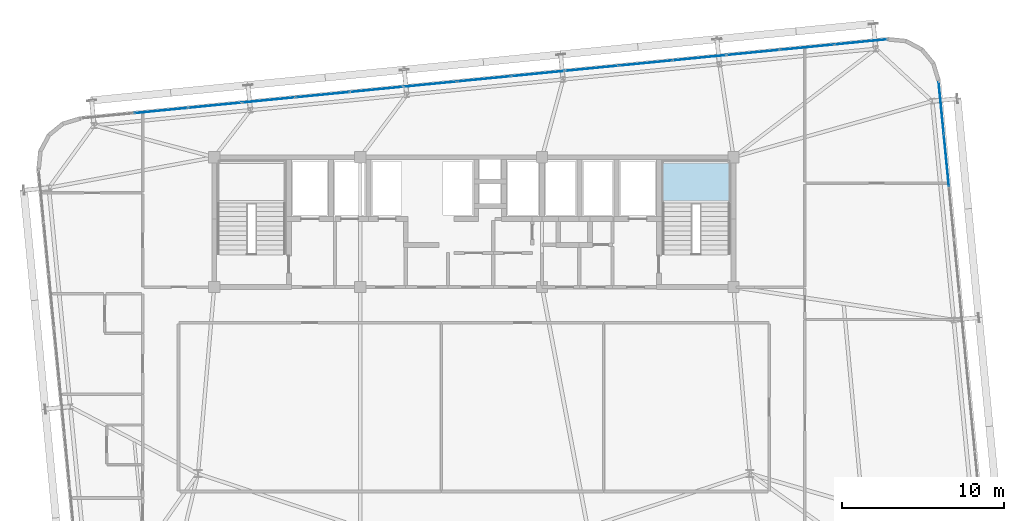
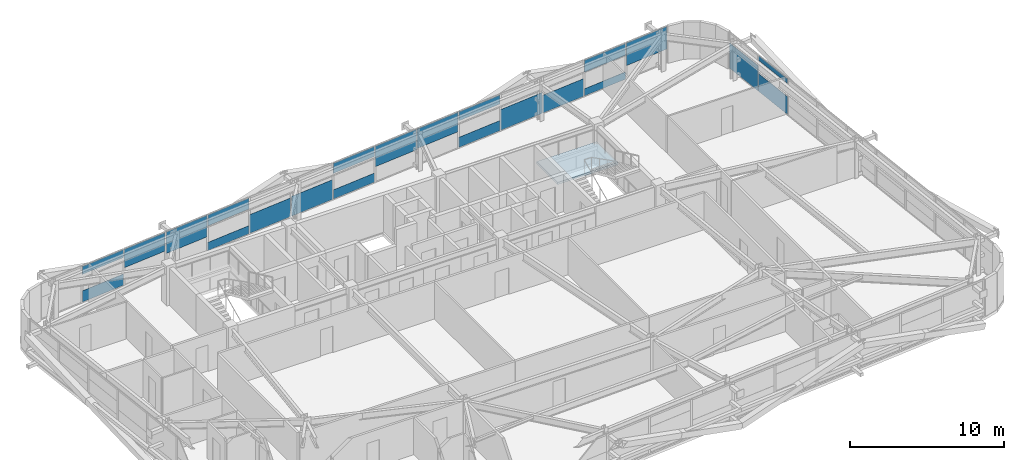
# One storey, part 37 of 53: 22 plates, 1 slab, 3 elements without a shape of their own.
"""IFC4 building model written with IfcOpenShell, lengths in metres."""

from ifc_helpers import new_model, si_unit, direction, frame, origin, origin_2d, place, context, subcontext, project, spatial, polyline, rectangle, outline, extrude, source, transform, mapped, material, layer, layer_set, type_object, element, aggregate, save


model = new_model("IFC4")

# Units and contexts
model_context = context("Model", 3, precision=1e-05, world=origin(), true_north=direction((0.0, 1.0)))
body_context = subcontext(model_context, "Body", "Model", "MODEL_VIEW")
ifc_project = project(units=[si_unit("LENGTHUNIT", "METRE"), si_unit("AREAUNIT", "SQUARE_METRE"), si_unit("VOLUMEUNIT", "CUBIC_METRE"), si_unit("PLANEANGLEUNIT", "RADIAN"), si_unit("MASSUNIT", "GRAM", prefix="KILO")], contexts=[model_context])

# Site, building, storey
site_placement = place(None, origin())
site = spatial("IfcSite", under=ifc_project, at=site_placement, CompositionType="ELEMENT")
building_placement = place(site_placement, origin())
building = spatial("IfcBuilding", under=site, at=building_placement, Name="Taldren Reach Tower", CompositionType="ELEMENT")
storey_placement = place(building_placement, frame((0.0, 0.0, 84.0)))
storey = spatial("IfcBuildingStorey", under=building, at=storey_placement, Name="L25", CompositionType="ELEMENT", Elevation=84.0)

# Stair, slab
ifc_material_1 = material(Name="Concrete S50 (50 MPa)", Category="concrete")
stair_type = type_object("IfcStairType", Name="ST-HT-315", PredefinedType="HALF_TURN_STAIR", material=ifc_material_1)
stair_placement = place(storey_placement, origin())
stair = element("IfcStair", 1, at=stair_placement, inside=storey, type_object=stair_type, Name="Fire-isolated exit stair ST2 L25", PredefinedType="HALF_TURN_STAIR")
ifc_layer_1 = layer(ifc_material_1, 0.179931640625)
ifc_layer_set_1 = layer_set([ifc_layer_1], Name="Concrete S50 (50 MPa)")
slab_type = type_object("IfcSlabType", Name="SL-LAND-180", PredefinedType="LANDING", material=ifc_layer_set_1)
slab_placement = place(storey_placement, frame((0.0, 0.0, 1.39501953125)))
slab = element("IfcSlab", 2, at=slab_placement, type_object=slab_type, Name="ST2 landing 1", PredefinedType="LANDING", context=body_context, shape_type="SweptSolid", body=[
    extrude(outline(polyline([(46.43994140625, 29.135009765625), (50.9599609375, 29.135009765625), (50.9599609375, 31.8701171875), (46.43994140625, 31.8701171875), (46.43994140625, 29.135009765625)])), origin(), (0.0, 0.0, 1.0), 0.179931640625),
])
aggregate(stair, [slab])

# Curtain wall, plates
ifc_material_2 = material(Name="Aluminium and Low-E Glass Unitised System", Category="aluminium")
ifc_layer_2 = layer(ifc_material_2, 0.159912109375)
ifc_layer_set_2 = layer_set([ifc_layer_2], Name="Aluminium and Low-E Glass Unitised System")
curtain_wall_type = type_object("IfcCurtainWallType", Name="CW-SYS-3", PredefinedType="NOTDEFINED", material=ifc_layer_set_2)
curtain_wall_1_placement = place(storey_placement, origin())
curtain_wall_1 = element("IfcCurtainWall", 3, at=curtain_wall_1_placement, inside=storey, type_object=curtain_wall_type, Name="Unitised curtain wall CW-L25-N", PredefinedType="NOTDEFINED")
ifc_material_3 = material(Name="Solar-Control Double Glazed IGU", Category="glass")
ifc_layer_3 = layer(ifc_material_3, 0.031982421875)
ifc_layer_set_3 = layer_set([ifc_layer_3], Name="Solar-Control Double Glazed IGU")
plate_type = type_object("IfcPlateType", Name="CW-PNL-IGU32", PredefinedType="CURTAIN_PANEL", material=ifc_layer_set_3)
shared_shape_1 = source(origin(), body_context, "Body", "SweptSolid", [
    extrude(rectangle(XDim=3.268310546875, YDim=0.031982421875, at=origin_2d()), origin(), (0.0, 0.0, 1.0), 0.88818359375),
])
plate_1_placement = place(storey_placement, frame((15.72705078125, 34.874267578125, 0.05517578125), z_axis=(0.0, 0.0, 1.0), x_axis=(-0.995227390247, -0.097582999046, 0.0)))
plate_1 = element("IfcPlate", 4, at=plate_1_placement, type_object=plate_type, Name="CW-3 panel 14.1 part 1", PredefinedType="CURTAIN_PANEL", context=body_context, shape_type="MappedRepresentation", body=[
    mapped(shared_shape_1, transform((0.0, 0.0, 0.0), scale=1.0)),
])
shared_shape_2 = source(origin(), body_context, "Body", "SweptSolid", [
    extrude(rectangle(XDim=3.268310546875, YDim=0.031982421875, at=origin_2d()), origin(), (0.0, 0.0, 1.0), 0.626953125),
])
plate_2_placement = place(storey_placement, frame((15.72705078125, 34.874267578125, 2.248046875), z_axis=(0.0, 0.0, 1.0), x_axis=(-0.995227390247, -0.097582999046, 0.0)))
plate_2 = element("IfcPlate", 5, at=plate_2_placement, type_object=plate_type, Name="CW-3 panel 14.1 part 2", PredefinedType="CURTAIN_PANEL", context=body_context, shape_type="MappedRepresentation", body=[
    mapped(shared_shape_2, transform((0.0, 0.0, 0.0), scale=1.0)),
])
shared_shape_3 = source(origin(), body_context, "Body", "SweptSolid", [
    extrude(rectangle(XDim=3.268310546875, YDim=0.031982421875, at=origin_2d()), origin(), (0.0, 0.0, 1.0), 1.4638671875),
])
plate_3_placement = place(storey_placement, frame((19.04443359375, 35.199462890625, 1.4111328125), z_axis=(0.0, 0.0, 1.0), x_axis=(-0.995227390247, -0.097582999046, 0.0)))
plate_3 = element("IfcPlate", 6, at=plate_3_placement, type_object=plate_type, Name="CW-3 panel 13.1 part 1", PredefinedType="CURTAIN_PANEL", context=body_context, shape_type="MappedRepresentation", body=[
    mapped(shared_shape_3, transform((0.0, 0.0, 0.0), scale=1.0)),
])
shared_shape_4 = source(origin(), body_context, "Body", "SweptSolid", [
    extrude(rectangle(XDim=3.268310546875, YDim=0.031982421875, at=origin_2d()), origin(), (0.0, 0.0, 1.0), 1.704833984375),
])
plate_4_placement = place(storey_placement, frame((22.36181640625, 35.52490234375, 1.17041015625), z_axis=(0.0, 0.0, 1.0), x_axis=(-0.995227390247, -0.097582999046, 0.0)))
plate_4 = element("IfcPlate", 7, at=plate_4_placement, type_object=plate_type, Name="CW-3 panel 12.1 part 1", PredefinedType="CURTAIN_PANEL", context=body_context, shape_type="MappedRepresentation", body=[
    mapped(shared_shape_4, transform((0.0, 0.0, 0.0), scale=1.0)),
])
shared_shape_5 = source(origin(), body_context, "Body", "SweptSolid", [
    extrude(rectangle(XDim=3.268310546875, YDim=0.031982421875, at=origin_2d()), origin(), (0.0, 0.0, 1.0), 0.647216796875),
])
plate_5_placement = place(storey_placement, frame((25.67919921875, 35.85009765625, 0.05517578125), z_axis=(0.0, 0.0, 1.0), x_axis=(-0.995227390247, -0.097582999046, 0.0)))
plate_5 = element("IfcPlate", 8, at=plate_5_placement, type_object=plate_type, Name="CW-3 panel 11.1 part 1", PredefinedType="CURTAIN_PANEL", context=body_context, shape_type="MappedRepresentation", body=[
    mapped(shared_shape_5, transform((0.0, 0.0, 0.0), scale=1.0)),
])
shared_shape_6 = source(origin(), body_context, "Body", "SweptSolid", [
    extrude(rectangle(XDim=3.268310546875, YDim=0.031982421875, at=origin_2d()), origin(), (0.0, 0.0, 1.0), 0.867919921875),
])
plate_6_placement = place(storey_placement, frame((25.67919921875, 35.85009765625, 2.0068359375), z_axis=(0.0, 0.0, 1.0), x_axis=(-0.995227390247, -0.097582999046, 0.0)))
plate_6 = element("IfcPlate", 9, at=plate_6_placement, type_object=plate_type, Name="CW-3 panel 11.1 part 2", PredefinedType="CURTAIN_PANEL", context=body_context, shape_type="MappedRepresentation", body=[
    mapped(shared_shape_6, transform((0.0, 0.0, 0.0), scale=1.0)),
])
shared_shape_7 = source(origin(), body_context, "Body", "SweptSolid", [
    extrude(rectangle(XDim=3.268310546875, YDim=0.031982421875, at=origin_2d()), origin(), (0.0, 0.0, 1.0), 1.484130859375),
])
plate_7_placement = place(storey_placement, frame((28.996826171875, 36.17529296875, 0.05517578125), z_axis=(0.0, 0.0, 1.0), x_axis=(-0.995227390247, -0.097582999046, 0.0)))
plate_7 = element("IfcPlate", 10, at=plate_7_placement, type_object=plate_type, Name="CW-3 panel 10.1 part 1", PredefinedType="CURTAIN_PANEL", context=body_context, shape_type="MappedRepresentation", body=[
    mapped(shared_shape_7, transform((0.0, 0.0, 0.0), scale=1.0)),
])
shared_shape_8 = source(origin(), body_context, "Body", "SweptSolid", [
    extrude(rectangle(XDim=3.268310546875, YDim=0.031982421875, at=origin_2d()), origin(), (0.0, 0.0, 1.0), 1.564453125),
])
plate_8_placement = place(storey_placement, frame((32.314208984375, 36.500732421875, 0.054931640625), z_axis=(0.0, 0.0, 1.0), x_axis=(-0.995227390247, -0.097582999046, 0.0)))
plate_8 = element("IfcPlate", 11, at=plate_8_placement, type_object=plate_type, Name="CW-3 panel 9.1 part 1", PredefinedType="CURTAIN_PANEL", context=body_context, shape_type="MappedRepresentation", body=[
    mapped(shared_shape_8, transform((0.0, 0.0, 0.0), scale=1.0)),
])
shared_shape_9 = source(origin(), body_context, "Body", "SweptSolid", [
    extrude(rectangle(XDim=3.268310546875, YDim=0.031982421875, at=origin_2d()), origin(), (0.0, 0.0, 1.0), 0.7275390625),
])
plate_9_placement = place(storey_placement, frame((35.631591796875, 36.825927734375, 0.054931640625), z_axis=(0.0, 0.0, 1.0), x_axis=(-0.995227390247, -0.097582999046, 0.0)))
plate_9 = element("IfcPlate", 12, at=plate_9_placement, type_object=plate_type, Name="CW-3 panel 8.1 part 1", PredefinedType="CURTAIN_PANEL", context=body_context, shape_type="MappedRepresentation", body=[
    mapped(shared_shape_9, transform((0.0, 0.0, 0.0), scale=1.0)),
])
shared_shape_10 = source(origin(), body_context, "Body", "SweptSolid", [
    extrude(rectangle(XDim=3.268310546875, YDim=0.031982421875, at=origin_2d()), origin(), (0.0, 0.0, 1.0), 0.78759765625),
])
plate_10_placement = place(storey_placement, frame((35.631591796875, 36.825927734375, 2.08740234375), z_axis=(0.0, 0.0, 1.0), x_axis=(-0.995227390247, -0.097582999046, 0.0)))
plate_10 = element("IfcPlate", 13, at=plate_10_placement, type_object=plate_type, Name="CW-3 panel 8.1 part 2", PredefinedType="CURTAIN_PANEL", context=body_context, shape_type="MappedRepresentation", body=[
    mapped(shared_shape_10, transform((0.0, 0.0, 0.0), scale=1.0)),
])
shared_shape_11 = source(origin(), body_context, "Body", "SweptSolid", [
    extrude(rectangle(XDim=3.268310546875, YDim=0.031982421875, at=origin_2d()), origin(), (0.0, 0.0, 1.0), 1.62451171875),
])
plate_11_placement = place(storey_placement, frame((38.948974609375, 37.151123046875, 1.25048828125), z_axis=(0.0, 0.0, 1.0), x_axis=(-0.995227390247, -0.097582999046, 0.0)))
plate_11 = element("IfcPlate", 14, at=plate_11_placement, type_object=plate_type, Name="CW-3 panel 7.1 part 1", PredefinedType="CURTAIN_PANEL", context=body_context, shape_type="MappedRepresentation", body=[
    mapped(shared_shape_11, transform((0.0, 0.0, 0.0), scale=1.0)),
])
shared_shape_12 = source(origin(), body_context, "Body", "SweptSolid", [
    extrude(rectangle(XDim=3.268310546875, YDim=0.031982421875, at=origin_2d()), origin(), (0.0, 0.0, 1.0), 1.544189453125),
])
plate_12_placement = place(storey_placement, frame((42.266357421875, 37.4765625, 1.3310546875), z_axis=(0.0, 0.0, 1.0), x_axis=(-0.995227390247, -0.097582999046, 0.0)))
plate_12 = element("IfcPlate", 15, at=plate_12_placement, type_object=plate_type, Name="CW-3 panel 6.1 part 1", PredefinedType="CURTAIN_PANEL", context=body_context, shape_type="MappedRepresentation", body=[
    mapped(shared_shape_12, transform((0.0, 0.0, 0.0), scale=1.0)),
])
shared_shape_13 = source(origin(), body_context, "Body", "SweptSolid", [
    extrude(rectangle(XDim=3.268310546875, YDim=0.031982421875, at=origin_2d()), origin(), (0.0, 0.0, 1.0), 0.807861328125),
])
plate_13_placement = place(storey_placement, frame((45.583740234375, 37.8017578125, 0.05517578125), z_axis=(0.0, 0.0, 1.0), x_axis=(-0.995227390247, -0.097582999046, 0.0)))
plate_13 = element("IfcPlate", 16, at=plate_13_placement, type_object=plate_type, Name="CW-3 panel 5.1 part 1", PredefinedType="CURTAIN_PANEL", context=body_context, shape_type="MappedRepresentation", body=[
    mapped(shared_shape_13, transform((0.0, 0.0, 0.0), scale=1.0)),
])
shared_shape_14 = source(origin(), body_context, "Body", "SweptSolid", [
    extrude(rectangle(XDim=3.268310546875, YDim=0.031982421875, at=origin_2d()), origin(), (0.0, 0.0, 1.0), 0.707275390625),
])
plate_14_placement = place(storey_placement, frame((45.583740234375, 37.8017578125, 2.16748046875), z_axis=(0.0, 0.0, 1.0), x_axis=(-0.995227390247, -0.097582999046, 0.0)))
plate_14 = element("IfcPlate", 17, at=plate_14_placement, type_object=plate_type, Name="CW-3 panel 5.1 part 2", PredefinedType="CURTAIN_PANEL", context=body_context, shape_type="MappedRepresentation", body=[
    mapped(shared_shape_14, transform((0.0, 0.0, 0.0), scale=1.0)),
])
shared_shape_15 = source(origin(), body_context, "Body", "SweptSolid", [
    extrude(rectangle(XDim=3.268310546875, YDim=0.031982421875, at=origin_2d()), origin(), (0.0, 0.0, 1.0), 1.644775390625),
])
plate_15_placement = place(storey_placement, frame((48.9013671875, 38.126953125, 0.05517578125), z_axis=(0.0, 0.0, 1.0), x_axis=(-0.995227390247, -0.097582999046, 0.0)))
plate_15 = element("IfcPlate", 18, at=plate_15_placement, type_object=plate_type, Name="CW-3 panel 4.1 part 1", PredefinedType="CURTAIN_PANEL", context=body_context, shape_type="MappedRepresentation", body=[
    mapped(shared_shape_15, transform((0.0, 0.0, 0.0), scale=1.0)),
])
shared_shape_16 = source(origin(), body_context, "Body", "SweptSolid", [
    extrude(rectangle(XDim=3.268310546875, YDim=0.031982421875, at=origin_2d()), origin(), (0.0, 0.0, 1.0), 1.40380859375),
])
plate_16_placement = place(storey_placement, frame((52.21875, 38.452392578125, 0.054931640625), z_axis=(0.0, 0.0, 1.0), x_axis=(-0.995227390247, -0.097582999046, 0.0)))
plate_16 = element("IfcPlate", 19, at=plate_16_placement, type_object=plate_type, Name="CW-3 panel 3.1 part 1", PredefinedType="CURTAIN_PANEL", context=body_context, shape_type="MappedRepresentation", body=[
    mapped(shared_shape_16, transform((0.0, 0.0, 0.0), scale=1.0)),
])
shared_shape_17 = source(origin(), body_context, "Body", "SweptSolid", [
    extrude(rectangle(XDim=3.268310546875, YDim=0.031982421875, at=origin_2d()), origin(), (0.0, 0.0, 1.0), 0.56689453125),
])
plate_17_placement = place(storey_placement, frame((55.5361328125, 38.777587890625, 0.054931640625), z_axis=(0.0, 0.0, 1.0), x_axis=(-0.995227390247, -0.097582999046, 0.0)))
plate_17 = element("IfcPlate", 20, at=plate_17_placement, type_object=plate_type, Name="CW-3 panel 2.1 part 1", PredefinedType="CURTAIN_PANEL", context=body_context, shape_type="MappedRepresentation", body=[
    mapped(shared_shape_17, transform((0.0, 0.0, 0.0), scale=1.0)),
])
shared_shape_18 = source(origin(), body_context, "Body", "SweptSolid", [
    extrude(rectangle(XDim=3.268310546875, YDim=0.031982421875, at=origin_2d()), origin(), (0.0, 0.0, 1.0), 0.9482421875),
])
plate_18_placement = place(storey_placement, frame((55.5361328125, 38.777587890625, 1.9267578125), z_axis=(0.0, 0.0, 1.0), x_axis=(-0.995227390247, -0.097582999046, 0.0)))
plate_18 = element("IfcPlate", 21, at=plate_18_placement, type_object=plate_type, Name="CW-3 panel 2.1 part 2", PredefinedType="CURTAIN_PANEL", context=body_context, shape_type="MappedRepresentation", body=[
    mapped(shared_shape_18, transform((0.0, 0.0, 0.0), scale=1.0)),
])
shared_shape_19 = source(origin(), body_context, "Body", "SweptSolid", [
    extrude(rectangle(XDim=3.23583984375, YDim=0.031982421875, at=origin_2d()), origin(), (0.0, 0.0, 1.0), 1.78515625),
])
plate_19_placement = place(storey_placement, frame((58.83740234375, 39.101318359375, 1.08984375), z_axis=(0.0, 0.0, 1.0), x_axis=(-0.995227390247, -0.097582999046, 0.0)))
plate_19 = element("IfcPlate", 22, at=plate_19_placement, type_object=plate_type, Name="CW-3 panel 1.1 part 1", PredefinedType="CURTAIN_PANEL", context=body_context, shape_type="MappedRepresentation", body=[
    mapped(shared_shape_19, transform((0.0, 0.0, 0.0), scale=1.0)),
])
aggregate(curtain_wall_1, [plate_19, plate_17, plate_18, plate_16, plate_15, plate_13, plate_14, plate_12, plate_11, plate_9, plate_10, plate_8, plate_7, plate_5, plate_6, plate_4, plate_3, plate_1, plate_2])

curtain_wall_2_placement = place(storey_placement, origin())
curtain_wall_2 = element("IfcCurtainWall", 23, at=curtain_wall_2_placement, inside=storey, type_object=curtain_wall_type, Name="Unitised curtain wall CW-L25-E", PredefinedType="NOTDEFINED")
shared_shape_20 = source(origin(), body_context, "Body", "SweptSolid", [
    extrude(rectangle(XDim=3.18017578125, YDim=0.031982421875, at=origin_2d()), origin(), (0.0, 0.0, 1.0), 1.989501953125),
])
plate_20_placement = place(storey_placement, frame((63.79931640625, 35.051025390625, 0.05517578125), z_axis=(0.0, 0.0, 1.0), x_axis=(-0.09758274098, 0.99522741555, 0.0)))
plate_20 = element("IfcPlate", 24, at=plate_20_placement, type_object=plate_type, Name="CW-3 panel 9.1 part 1", PredefinedType="CURTAIN_PANEL", context=body_context, shape_type="MappedRepresentation", body=[
    mapped(shared_shape_20, transform((0.0, 0.0, 0.0), scale=1.0)),
])
shared_shape_21 = source(origin(), body_context, "Body", "SweptSolid", [
    extrude(rectangle(XDim=3.212890625, YDim=0.031982421875, at=origin_2d()), origin(), (0.0, 0.0, 1.0), 1.401611328125),
])
plate_21_placement = place(storey_placement, frame((64.117431640625, 31.80517578125, 0.05517578125), z_axis=(0.0, 0.0, 1.0), x_axis=(-0.09758274098, 0.99522741555, 0.0)))
plate_21 = element("IfcPlate", 25, at=plate_21_placement, type_object=plate_type, Name="CW-3 panel 8.1 part 1", PredefinedType="CURTAIN_PANEL", context=body_context, shape_type="MappedRepresentation", body=[
    mapped(shared_shape_21, transform((0.0, 0.0, 0.0), scale=1.0)),
])
shared_shape_22 = source(origin(), body_context, "Body", "SweptSolid", [
    extrude(rectangle(XDim=3.212890625, YDim=0.031982421875, at=origin_2d()), origin(), (0.0, 0.0, 1.0), 0.36474609375),
])
plate_22_placement = place(storey_placement, frame((64.117431640625, 31.80517578125, 2.51025390625), z_axis=(0.0, 0.0, 1.0), x_axis=(-0.09758274098, 0.99522741555, 0.0)))
plate_22 = element("IfcPlate", 26, at=plate_22_placement, type_object=plate_type, Name="CW-3 panel 8.1 part 2", PredefinedType="CURTAIN_PANEL", context=body_context, shape_type="MappedRepresentation", body=[
    mapped(shared_shape_22, transform((0.0, 0.0, 0.0), scale=1.0)),
])
aggregate(curtain_wall_2, [plate_21, plate_22, plate_20])

save(model, "model.ifc")
